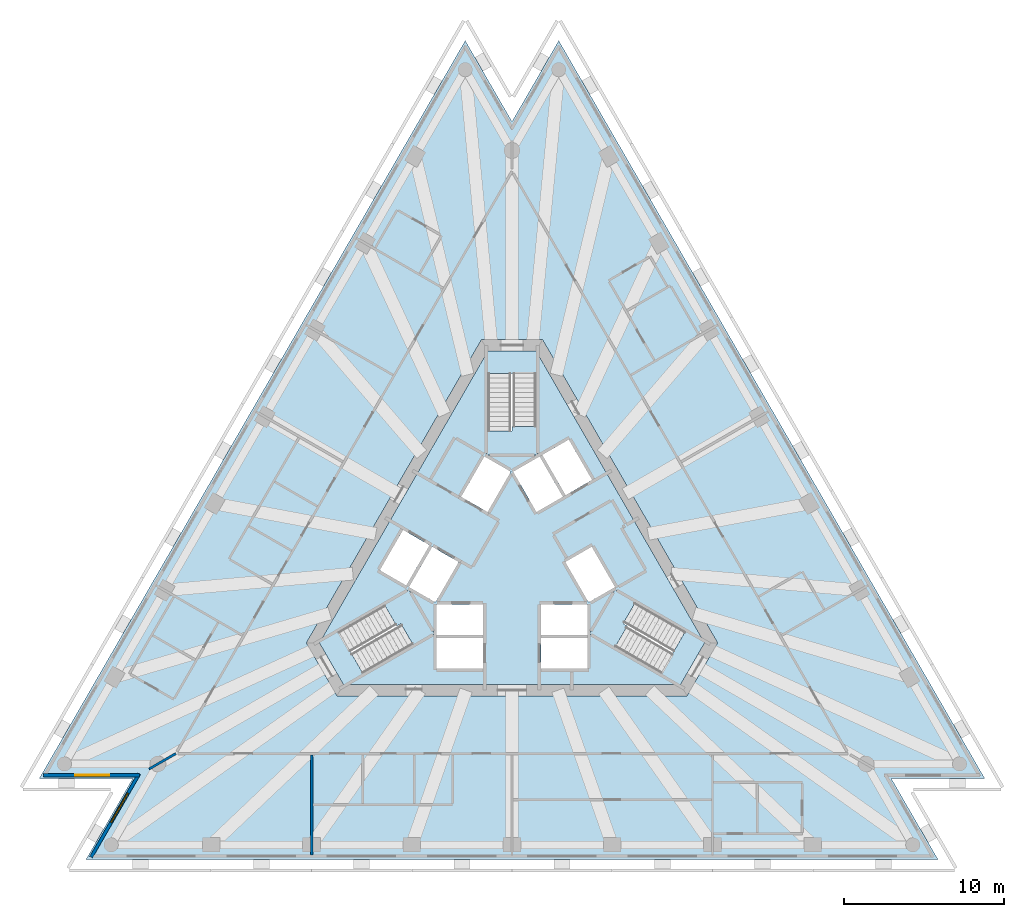
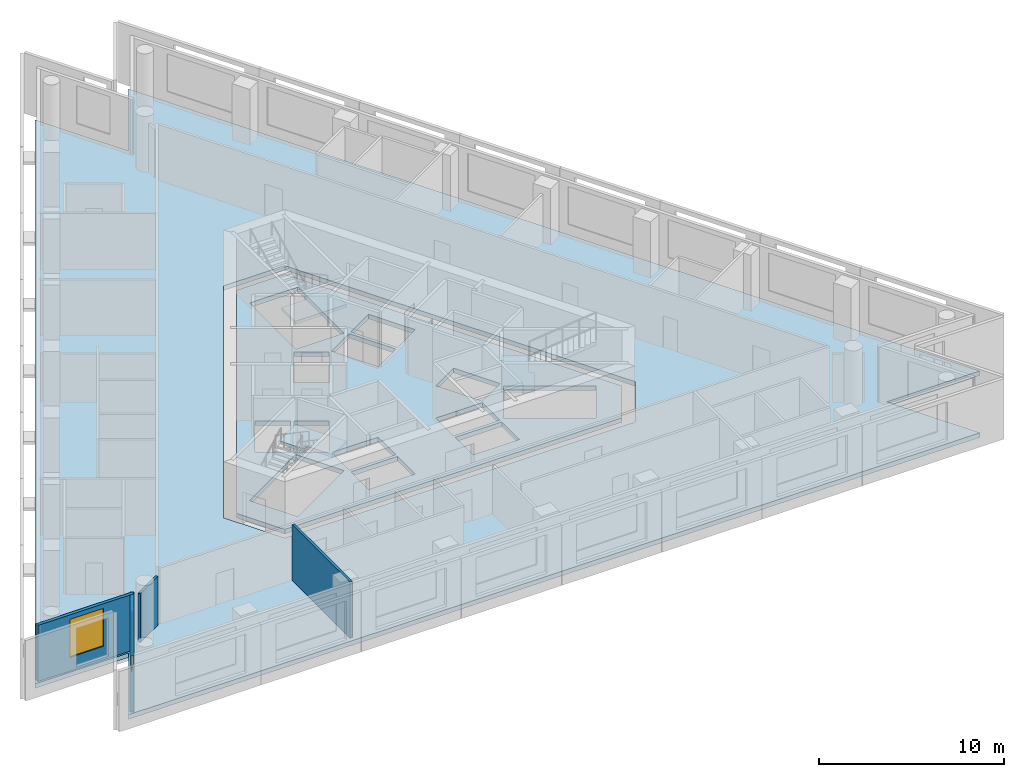
# One storey, part 2 of 10: 5 slabs, 4 walls, 2 windows, 2 openings, 3 elements without a shape of their own.
"""IFC4 building model written with IfcOpenShell, lengths in metres."""

import ifcopenshell
import ifcopenshell.guid

model = None  # the IFC model being written
_history = None  # IfcOwnerHistory: only IFC2X3 demands one
_inside = {}  # id of a spatial element -> (the spatial element, [elements in it])
_under = {}  # id of a project, library or spatial element -> (it, [spatial elements below it])
_declared = {}  # id of a project -> (the project, [libraries it declares])
_typed = {}  # id of a type object -> (the type object, [elements of that type])
_made_of = {}  # id of a material, layer set ... -> (it, [elements and type objects made of it])


def new_model(schema):
    """Start an empty IFC model of exactly this schema.

    Asked for "IFC4X3", IfcOpenShell would pick the latest addendum, in which some entities
    have other attributes; the version numbers below select the first issue.
    IFC2X3 requires an IfcOwnerHistory on every rooted entity: one is made here for all.
    """
    global model, _history
    if schema == "IFC4X3":
        model = ifcopenshell.file(schema_version=(4, 3, 0, 0))
    else:
        model = ifcopenshell.file(schema=schema)
    _inside.clear()
    _under.clear()
    _declared.clear()
    _typed.clear()
    _made_of.clear()
    _history = None
    if model.schema == "IFC2X3":
        org = make("IfcOrganization", Name="unknown")
        user = make(
            "IfcPersonAndOrganization",
            ThePerson=make("IfcPerson", FamilyName="unknown"),
            TheOrganization=org,
        )
        app = make(
            "IfcApplication",
            ApplicationDeveloper=org,
            Version="unknown",
            ApplicationFullName="unknown",
            ApplicationIdentifier="unknown",
        )
        _history = make(
            "IfcOwnerHistory",
            OwningUser=user,
            OwningApplication=app,
            ChangeAction="ADDED",
            CreationDate=0,
        )
    return model


def make(cls, **values):
    """One entity of the class cls with the attributes given. An attribute that is None is left unset."""
    return model.create_entity(
        cls, **{name: value for name, value in values.items() if value is not None}
    )


def rooted(cls, **values):
    """An entity with a GlobalId (a new one), such as an element, a storey or a relation."""
    return make(cls, GlobalId=ifcopenshell.guid.new(), OwnerHistory=_history, **values)


def si_unit(unit_type, name, prefix=None):
    """IfcSIUnit, for example si_unit("LENGTHUNIT", "METRE", prefix="MILLI")."""
    return make("IfcSIUnit", UnitType=unit_type, Prefix=prefix, Name=name)


def assignment(units):
    """IfcUnitAssignment: the units of a project."""
    return None if units is None else make("IfcUnitAssignment", Units=units)


def point(xyz):
    """IfcCartesianPoint."""
    return None if xyz is None else make("IfcCartesianPoint", Coordinates=xyz)


def direction(xyz):
    """IfcDirection."""
    return None if xyz is None else make("IfcDirection", DirectionRatios=xyz)


def frame(location, z_axis=None, x_axis=None):
    """IfcAxis2Placement3D, a coordinate frame: its origin and axes. An axis left out is left unset."""
    return make(
        "IfcAxis2Placement3D",
        Location=point(location),
        Axis=direction(z_axis),
        RefDirection=direction(x_axis),
    )


def frame_2d(location, x_axis=None):
    """IfcAxis2Placement2D, a coordinate frame in the plane: its origin and x axis."""
    return make(
        "IfcAxis2Placement2D", Location=point(location), RefDirection=direction(x_axis)
    )


def origin():
    """The frame at (0, 0, 0) with its axes left unset."""
    return frame((0.0, 0.0, 0.0))


def place(relative_to, where):
    """IfcLocalPlacement: puts the frame where relative to a parent placement (None: the world)."""
    return make(
        "IfcLocalPlacement", PlacementRelTo=relative_to, RelativePlacement=where
    )


def context(
    kind, dimensions, precision=None, world=None, true_north=None, identifier=None
):
    """IfcGeometricRepresentationContext, for example the 3D "Model" context."""
    return make(
        "IfcGeometricRepresentationContext",
        ContextIdentifier=identifier,
        ContextType=kind,
        CoordinateSpaceDimension=dimensions,
        Precision=precision,
        WorldCoordinateSystem=world,
        TrueNorth=true_north,
    )


def subcontext(parent, identifier, kind, view, scale=None):
    """IfcGeometricRepresentationSubContext, for example "Body" below "Model"."""
    return make(
        "IfcGeometricRepresentationSubContext",
        ContextIdentifier=identifier,
        ContextType=kind,
        ParentContext=parent,
        TargetScale=scale,
        TargetView=view,
    )


def project(units=None, contexts=None):
    """IfcProject with its units and contexts."""
    return rooted(
        "IfcProject",
        Name="project",
        RepresentationContexts=contexts,
        UnitsInContext=assignment(units),
    )


def spatial(cls, under=None, at=None, **own):
    """A site, building, storey or space (cls), placed at a placement, below another one or the project."""
    s = rooted(cls, ObjectPlacement=at, **own)
    if under is not None:
        _under.setdefault(under.id(), (under, []))[1].append(s)
    return s


def polyline(points):
    """IfcPolyline through the points."""
    return make("IfcPolyline", Points=[point(p) for p in points])


def profile(cls, at=None, kind="AREA", **sizes):
    """A parametric profile (cls). Its sizes go by their IFC names, for example OverallWidth=200.0."""
    return make(cls, ProfileType=kind, Position=at, **sizes)


def rectangle(**sizes):
    """IfcRectangleProfileDef."""
    return profile("IfcRectangleProfileDef", **sizes)


def outline(outer, holes=None, kind="AREA"):
    """IfcArbitraryClosedProfileDef: a profile drawn as a closed curve; with holes, ...WithVoids."""
    if holes is None:
        return make("IfcArbitraryClosedProfileDef", ProfileType=kind, OuterCurve=outer)
    return make(
        "IfcArbitraryProfileDefWithVoids",
        ProfileType=kind,
        OuterCurve=outer,
        InnerCurves=holes,
    )


def extrude(swept, where, along, depth):
    """IfcExtrudedAreaSolid: the profile swept, set in the frame where, extruded along a direction by depth."""
    return make(
        "IfcExtrudedAreaSolid",
        SweptArea=swept,
        Position=where,
        ExtrudedDirection=direction(along),
        Depth=depth,
    )


def shape(context_of_items, identifier, shape_type, items):
    """IfcShapeRepresentation: the items that make up one representation, for example the "Body"."""
    return make(
        "IfcShapeRepresentation",
        ContextOfItems=context_of_items,
        RepresentationIdentifier=identifier,
        RepresentationType=shape_type,
        Items=items,
    )


def material(Name=None, Category=None):
    """IfcMaterial."""
    return make("IfcMaterial", Name=Name, Category=Category)


def layer(
    of_material, thickness, ventilated=None, Name=None, Category=None, Priority=None
):
    """IfcMaterialLayer: one layer of a wall or slab, of a material (None: an air gap)."""
    return make(
        "IfcMaterialLayer",
        Material=of_material,
        LayerThickness=thickness,
        IsVentilated=ventilated,
        Name=Name,
        Category=Category,
        Priority=Priority,
    )


def layer_set(layers, Name=None):
    """IfcMaterialLayerSet."""
    return make("IfcMaterialLayerSet", MaterialLayers=layers, LayerSetName=Name)


def layer_usage(for_layer_set, set_direction, sense, offset, extent=None):
    """IfcMaterialLayerSetUsage: how a layer set lies in its element."""
    return make(
        "IfcMaterialLayerSetUsage",
        ForLayerSet=for_layer_set,
        LayerSetDirection=set_direction,
        DirectionSense=sense,
        OffsetFromReferenceLine=offset,
        ReferenceExtent=extent,
    )


def made_of(thing, what):
    """Note that an element or type object is made of a material, layer set ...; save() writes the relation."""
    if what is not None:
        _made_of.setdefault(what.id(), (what, []))[1].append(thing)
    return thing


def type_object(cls, material=None, **own):
    """A type object (cls), such as IfcWallType, which elements share."""
    return made_of(rooted(cls, **own), material)


def element(
    cls,
    number,
    at=None,
    inside=None,
    cuts=None,
    type_object=None,
    material=None,
    context=None,
    identifier="Body",
    shape_type=None,
    held_by="IfcProductDefinitionShape",
    body=None,
    shapes=None,
    **own,
):
    """One element of the class cls, such as IfcWall. Its Tag is "e" and its number.

    at: its placement. inside: the storey or other place that contains it. cuts: it is an
    opening in that element (IfcRelVoidsElement). A single representation is given by context,
    identifier, shape_type and body (its items); several are given by shapes. held_by: the class
    of the entity that holds the representations. save() writes the other relations.
    """
    e = rooted(cls, Tag="e%d" % number, ObjectPlacement=at, **own)
    if body is not None:
        shapes = [shape(context, identifier, shape_type, body)]
    if shapes is not None:
        e.Representation = make(held_by, Representations=shapes)
    if inside is not None:
        _inside.setdefault(inside.id(), (inside, []))[1].append(e)
    if cuts is not None:
        rooted(
            "IfcRelVoidsElement", RelatingBuildingElement=cuts, RelatedOpeningElement=e
        )
    if type_object is not None:
        _typed.setdefault(type_object.id(), (type_object, []))[1].append(e)
    return made_of(e, material)


def fill(opening, filler):
    """IfcRelFillsElement: the door or window that sits in an opening."""
    return rooted(
        "IfcRelFillsElement",
        RelatingOpeningElement=opening,
        RelatedBuildingElement=filler,
    )


def aggregate(whole, parts):
    """IfcRelAggregates: a whole, such as a stair, and the parts it consists of."""
    return rooted("IfcRelAggregates", RelatingObject=whole, RelatedObjects=parts)


def save(model, path):
    """Write the relations noted so far, then the file.

    IfcRelAggregates (storeys below a building ...), IfcRelContainedInSpatialStructure (elements
    in a storey), IfcRelDefinesByType, IfcRelAssociatesMaterial and IfcRelDeclares: one each for
    every whole, place, type object, material and project.
    """
    for whole, parts in _under.values():
        aggregate(whole, parts)
    for where, things in _inside.values():
        rooted(
            "IfcRelContainedInSpatialStructure",
            RelatedElements=things,
            RelatingStructure=where,
        )
    for kind, things in _typed.values():
        rooted("IfcRelDefinesByType", RelatedObjects=things, RelatingType=kind)
    for what, things in _made_of.values():
        rooted("IfcRelAssociatesMaterial", RelatedObjects=things, RelatingMaterial=what)
    for by, libraries in _declared.values():
        rooted("IfcRelDeclares", RelatingContext=by, RelatedDefinitions=libraries)
    model.write(path)


model = new_model("IFC4")

# Units and contexts
model_context = context("Model", 3, precision=1e-05, world=origin(), true_north=direction((0.0, 1.0)))
body_context = subcontext(model_context, "Body", "Model", "MODEL_VIEW")
ifc_project = project(units=[si_unit("LENGTHUNIT", "METRE"), si_unit("AREAUNIT", "SQUARE_METRE"), si_unit("VOLUMEUNIT", "CUBIC_METRE"), si_unit("PLANEANGLEUNIT", "RADIAN"), si_unit("MASSUNIT", "GRAM", prefix="KILO")], contexts=[model_context])

# Site, building, storey
site_placement = place(None, origin())
site = spatial("IfcSite", under=ifc_project, at=site_placement, CompositionType="ELEMENT")
building_placement = place(site_placement, origin())
building = spatial("IfcBuilding", under=site, at=building_placement, Name="Triada Interchange Tower", CompositionType="ELEMENT")
storey_placement = place(building_placement, frame((0.0, 0.0, 195.300048828125)))
storey = spatial("IfcBuildingStorey", under=building, at=storey_placement, Name="L45", CompositionType="ELEMENT", Elevation=195.300048828125)

# Slabs
ifc_material_1 = material(Name="Concrete C50/60", Category="concrete")
ifc_layer_1 = layer(ifc_material_1, 0.300048828125)
ifc_layer_set_1 = layer_set([ifc_layer_1], Name="Floor slab 300")
slab_type_1 = type_object("IfcSlabType", Name="Floor slab 300", PredefinedType="FLOOR", material=ifc_layer_set_1)
slab_1_placement = place(storey_placement, frame((0.0, 0.0, -0.300048828125)))
element("IfcSlab", 1, at=slab_1_placement, inside=storey, type_object=slab_type_1, Name="Floor slab L45", PredefinedType="FLOOR", context=body_context, shape_type="SweptSolid", body=[
    extrude(outline(polyline([(-2.9140625, 32.342041015625), (-29.466064453125, -13.64697265625), (-23.637939453125, -13.64697265625), (-26.552001953125, -18.695068359375), (26.552001953125, -18.695068359375), (23.637939453125, -13.64697265625), (29.466064453125, -13.64697265625), (2.9140625, 32.342041015625), (0.0, 27.294921875), (-2.9140625, 32.342041015625)]), holes=[polyline([(1.905029296875, 13.699951171875), (-1.905029296875, 13.699951171875), (-12.81689453125, -5.199951171875), (-10.912109375, -8.5), (10.912109375, -8.5), (12.81689453125, -5.199951171875), (1.905029296875, 13.699951171875)])]), origin(), (0.0, 0.0, 1.0), 0.300048828125),
])
slab_2_placement = place(storey_placement, frame((0.0, 0.0, -0.300048828125)))
element("IfcSlab", 2, at=slab_2_placement, inside=storey, type_object=slab_type_1, Name="Core floor slab L45 1", PredefinedType="FLOOR", context=body_context, shape_type="SweptSolid", body=[
    extrude(outline(polyline([(12.009033203125, -5.199951171875), (10.508056640625, -7.800048828125), (-10.508056640625, -7.800048828125), (-12.009033203125, -5.199951171875), (-1.5009765625, 13.0), (1.5009765625, 13.0), (12.009033203125, -5.199951171875)]), holes=[polyline([(9.2958984375, -7.09912109375), (10.7958984375, -4.5009765625), (6.466064453125, -2.0009765625), (4.966064453125, -4.59912109375), (9.2958984375, -7.09912109375)]), polyline([(4.77490234375, -2.669921875), (6.419921875, -1.719970703125), (4.969970703125, 0.791015625), (4.137939453125, 0.31103515625), (3.324951171875, -0.158935546875), (4.77490234375, -2.669921875)]), polyline([(1.89404296875, 6.52001953125), (3.343994140625, 4.009033203125), (4.989013671875, 4.958984375), (3.5390625, 7.469970703125), (1.89404296875, 6.52001953125)]), polyline([(1.800048828125, -4.89990234375), (1.800048828125, -6.4990234375), (1.800048828125, -6.800048828125), (4.699951171875, -6.800048828125), (4.699951171875, -4.89990234375), (1.800048828125, -4.89990234375)]), polyline([(4.699951171875, -2.800048828125), (1.800048828125, -2.800048828125), (1.800048828125, -4.699951171875), (4.699951171875, -4.699951171875), (4.699951171875, -2.800048828125)]), polyline([(0.074951171875, 5.469970703125), (1.52490234375, 2.958984375), (3.169921875, 3.908935546875), (1.719970703125, 6.419921875), (0.074951171875, 5.469970703125)]), polyline([(-1.5, 11.60009765625), (-1.5, 6.60009765625), (1.5, 6.60009765625), (1.5, 11.60009765625), (-1.5, 11.60009765625)]), polyline([(-1.52490234375, 2.958984375), (-0.074951171875, 5.469970703125), (-1.719970703125, 6.419921875), (-3.169921875, 3.908935546875), (-1.52490234375, 2.958984375)]), polyline([(-1.800048828125, -2.800048828125), (-4.699951171875, -2.800048828125), (-4.699951171875, -4.699951171875), (-1.800048828125, -4.699951171875), (-1.800048828125, -2.800048828125)]), polyline([(-4.699951171875, -6.800048828125), (-1.800048828125, -6.800048828125), (-1.800048828125, -6.4990234375), (-1.800048828125, -4.89990234375), (-4.699951171875, -4.89990234375), (-4.699951171875, -6.800048828125)]), polyline([(-3.367919921875, -0.134033203125), (-4.969970703125, 0.791015625), (-6.419921875, -1.719970703125), (-4.77490234375, -2.669921875), (-3.324951171875, -0.158935546875), (-3.367919921875, -0.134033203125)]), polyline([(-10.7958984375, -4.5009765625), (-9.2958984375, -7.09912109375), (-4.966064453125, -4.59912109375), (-6.466064453125, -2.0009765625), (-10.7958984375, -4.5009765625)]), polyline([(-6.593994140625, -1.6201171875), (-5.14404296875, 0.89111328125), (-6.7890625, 1.841064453125), (-8.239013671875, -0.669921875), (-6.593994140625, -1.6201171875)])]), origin(), (0.0, 0.0, 1.0), 0.300048828125),
])

# Stair, slab
ifc_material_2 = material(Name="Concrete C35/45", Category="concrete")
stair_type = type_object("IfcStairType", Name="HALF TURN STAIR 1400", PredefinedType="HALF_TURN_STAIR", material=ifc_material_2)
stair_1_placement = place(storey_placement, origin())
stair_1 = element("IfcStair", 3, at=stair_1_placement, inside=storey, type_object=stair_type, Name="Exit stair S44-1", PredefinedType="HALF_TURN_STAIR")
ifc_layer_2 = layer(ifc_material_2, 0.199951171875)
ifc_layer_set_2 = layer_set([ifc_layer_2], Name="STAIR LANDING 200")
slab_type_2 = type_object("IfcSlabType", Name="STAIR LANDING 200", PredefinedType="LANDING", material=ifc_layer_set_2)
slab_3_placement = place(storey_placement, frame((0.0, 0.0, 1.719970703125)))
slab_3 = element("IfcSlab", 4, at=slab_3_placement, type_object=slab_type_2, Name="S44-1 landing 1", PredefinedType="LANDING", context=body_context, shape_type="SweptSolid", body=[
    extrude(outline(polyline([(1.60009765625, 6.5), (1.60009765625, 8.300048828125), (0.0, 8.300048828125), (0.0, 8.0), (-1.60009765625, 8.0), (-1.60009765625, 6.5), (1.60009765625, 6.5)])), origin(), (0.0, 0.0, 1.0), 0.199951171875),
])
aggregate(stair_1, [slab_3])

stair_2_placement = place(storey_placement, origin())
stair_2 = element("IfcStair", 5, at=stair_2_placement, inside=storey, type_object=stair_type, Name="Exit stair S44-2", PredefinedType="HALF_TURN_STAIR")
slab_4_placement = place(storey_placement, frame((0.0, 0.0, 1.719970703125)))
slab_4 = element("IfcSlab", 6, at=slab_4_placement, type_object=slab_type_2, Name="S44-2 landing 1", PredefinedType="LANDING", context=body_context, shape_type="SweptSolid", body=[
    extrude(outline(polyline([(-6.428955078125, -1.864013671875), (-7.988037109375, -2.763916015625), (-7.18798828125, -4.14990234375), (-6.927978515625, -4.0), (-6.1279296875, -5.385986328125), (-4.8291015625, -4.635986328125), (-6.428955078125, -1.864013671875)])), origin(), (0.0, 0.0, 1.0), 0.199951171875),
])
aggregate(stair_2, [slab_4])

stair_3_placement = place(storey_placement, origin())
stair_3 = element("IfcStair", 7, at=stair_3_placement, inside=storey, type_object=stair_type, Name="Exit stair S44-3", PredefinedType="HALF_TURN_STAIR")
slab_5_placement = place(storey_placement, frame((0.0, 0.0, 1.719970703125)))
slab_5 = element("IfcSlab", 8, at=slab_5_placement, type_object=slab_type_2, Name="S44-3 landing 1", PredefinedType="LANDING", context=body_context, shape_type="SweptSolid", body=[
    extrude(outline(polyline([(4.8291015625, -4.635986328125), (6.387939453125, -5.535888671875), (7.18798828125, -4.14990234375), (6.927978515625, -4.0), (7.72802734375, -2.614013671875), (6.428955078125, -1.864013671875), (4.8291015625, -4.635986328125)])), origin(), (0.0, 0.0, 1.0), 0.199951171875),
])
aggregate(stair_3, [slab_5])

# Wall, opening, window
ifc_material_3 = material(Name="Cement board")
ifc_layer_3 = layer(ifc_material_3, 0.02001953125, Name="Cement board cladding")
ifc_material_4 = material(Name="Sheathing board")
ifc_layer_4 = layer(ifc_material_4, 0.014892578125, Name="Sheathing board")
ifc_material_5 = material(Name="Mineral wool")
ifc_layer_5 = layer(ifc_material_5, 0.14990234375, Name="Mineral wool between steel studs")
ifc_material_6 = material(Name="Gypsum board")
ifc_layer_6 = layer(ifc_material_6, 0.014892578125, Name="Plasterboard lining")
ifc_layer_set_3 = layer_set([ifc_layer_3, ifc_layer_4, ifc_layer_5, ifc_layer_6], Name="External wall 200")
ifc_layer_usage = layer_usage(ifc_layer_set_3, "AXIS2", "POSITIVE", -0.10009765625)
wall_type_1 = type_object("IfcWallType", Name="External wall 200", PredefinedType="ELEMENTEDWALL", material=ifc_layer_set_3)
wall_1_placement = place(storey_placement, frame((-29.2099609375, -13.447021484375, 0.0), z_axis=(0.0, 0.0, 1.0), x_axis=(1.0, 0.0, 0.0)))
wall_1 = element("IfcWall", 9, at=wall_1_placement, inside=storey, type_object=wall_type_1, material=ifc_layer_usage, Name="External wall L45 SW-1", PredefinedType="ELEMENTEDWALL", context=body_context, shape_type="SweptSolid", body=[
    extrude(rectangle(XDim=5.988037109375, YDim=0.199951171875, at=frame_2d((2.994140625, 0.0))), origin(), (0.0, 0.0, 1.0), 3.699951171875),
])
opening_1_placement = place(wall_1_placement, frame((1.989990234375, 0.0, 0.89990234375)))
opening_1 = element("IfcOpeningElement", 10, at=opening_1_placement, cuts=wall_1, Name="Opening WC09", PredefinedType="OPENING", context=body_context, shape_type="SweptSolid", body=[
    extrude(rectangle(XDim=2.10009765625, YDim=2.5, at=frame_2d((1.050048828125, 1.25))), frame((0.0, 0.10986328125, 0.0), z_axis=(0.0, -1.0, 0.0), x_axis=(1.0, 0.0, 0.0)), (0.0, 0.0, 1.0), 0.219970703125),
])
ifc_material_7 = material(Name="Double glazed aluminium window", Category="aluminium")
window_type = type_object("IfcWindowType", Name="Ribbon window C pocket", PartitioningType="SINGLE_PANEL", PredefinedType="WINDOW", material=ifc_material_7)
window_1_placement = place(opening_1_placement, origin())
window_1 = element("IfcWindow", 11, at=window_1_placement, inside=storey, type_object=window_type, Name="Window L45 SW-1 1", OverallHeight=2.5, OverallWidth=2.10009765625, PartitioningType="SINGLE_PANEL", PredefinedType="WINDOW", context=body_context, shape_type="SweptSolid", body=[
    extrude(rectangle(XDim=2.10009765625, YDim=2.5, at=frame_2d((1.050048828125, 1.25))), frame((0.0, 0.030029296875, 0.0), z_axis=(0.0, -1.0, 0.0), x_axis=(1.0, 0.0, 0.0)), (0.0, 0.0, 1.0), 0.06005859375),
])
fill(opening_1, window_1)

wall_2_placement = place(storey_placement, frame((-23.2470703125, -13.368896484375, 0.0), z_axis=(0.0, 0.0, 1.0), x_axis=(-0.499896541353, -0.866085127423, 0.0)))
wall_2 = element("IfcWall", 12, at=wall_2_placement, inside=storey, type_object=wall_type_1, material=ifc_layer_usage, Name="External wall L45 SW-2", PredefinedType="ELEMENTEDWALL", context=body_context, shape_type="SweptSolid", body=[
    extrude(rectangle(XDim=5.989013671875, YDim=0.199951171875, at=frame_2d((2.99462890625, 0.0))), origin(), (0.0, 0.0, 1.0), 3.699951171875),
])
opening_2_placement = place(wall_2_placement, frame((1.389892578125, 0.0, 0.89990234375)))
opening_2 = element("IfcOpeningElement", 13, at=opening_2_placement, cuts=wall_2, Name="Opening WC10", PredefinedType="OPENING", context=body_context, shape_type="SweptSolid", body=[
    extrude(rectangle(XDim=2.10009765625, YDim=2.5, at=frame_2d((1.050048828125, 1.25))), frame((0.0, 0.10986328125, 0.0), z_axis=(0.0, -1.0, 0.0), x_axis=(1.0, 0.0, 0.0)), (0.0, 0.0, 1.0), 0.219970703125),
])
window_2_placement = place(opening_2_placement, origin())
window_2 = element("IfcWindow", 14, at=window_2_placement, inside=storey, type_object=window_type, Name="Window L45 SW-2 1", OverallHeight=2.5, OverallWidth=2.10009765625, PartitioningType="SINGLE_PANEL", PredefinedType="WINDOW", context=body_context, shape_type="SweptSolid", body=[
    extrude(rectangle(XDim=2.10009765625, YDim=2.5, at=frame_2d((1.050048828125, 1.25))), frame((0.0, 0.030029296875, 0.0), z_axis=(0.0, -1.0, 0.0), x_axis=(1.0, 0.0, 0.0)), (0.0, 0.0, 1.0), 0.06005859375),
])
fill(opening_2, window_2)

# Walls
ifc_material_8 = material(Name="Gypsum board partition")
ifc_layer_7 = layer(ifc_material_8, 0.14990234375)
ifc_layer_set_4 = layer_set([ifc_layer_7], Name="PARTITION 150 EI 180")
wall_type_2 = type_object("IfcWallType", Name="PARTITION 150 EI 180", PredefinedType="PARTITIONING", material=ifc_layer_set_4)
wall_3_placement = place(storey_placement, frame((-22.615966796875, -13.056884765625, 0.0), z_axis=(0.0, 0.0, 1.0), x_axis=(0.866030650962, 0.499990911512, 0.0)))
element("IfcWall", 15, at=wall_3_placement, inside=storey, type_object=wall_type_2, Name="Wall L44 1", PredefinedType="PARTITIONING", context=body_context, shape_type="SweptSolid", body=[
    extrude(rectangle(XDim=1.91552734375, YDim=0.14990234375, at=frame_2d((0.957763671875, 0.0))), origin(), (0.0, 0.0, 1.0), 3.199951171875),
])
wall_4_placement = place(storey_placement, frame((-12.49609375, -18.4150390625, 0.0), z_axis=(0.0, 0.0, 1.0), x_axis=(0.0, 1.0, 0.0)))
element("IfcWall", 16, at=wall_4_placement, inside=storey, type_object=wall_type_2, Name="Wall L44 13", PredefinedType="PARTITIONING", context=body_context, shape_type="SweptSolid", body=[
    extrude(rectangle(XDim=6.239990234375, YDim=0.14990234375, at=frame_2d((3.1201171875, 0.0))), origin(), (0.0, 0.0, 1.0), 3.699951171875),
])

save(model, "model.ifc")
